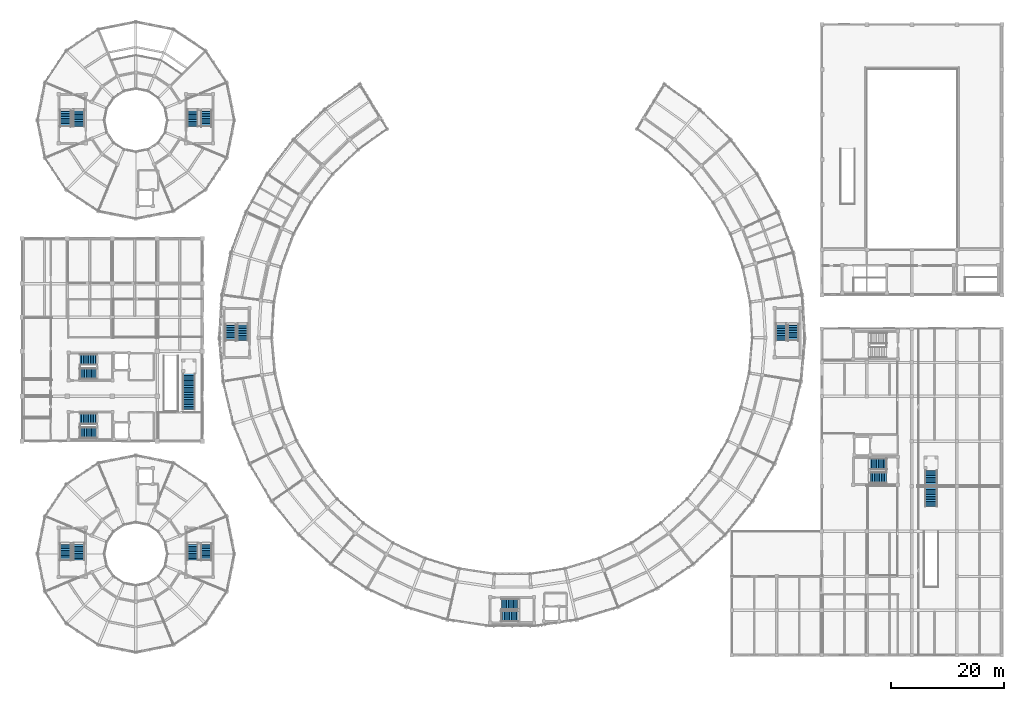
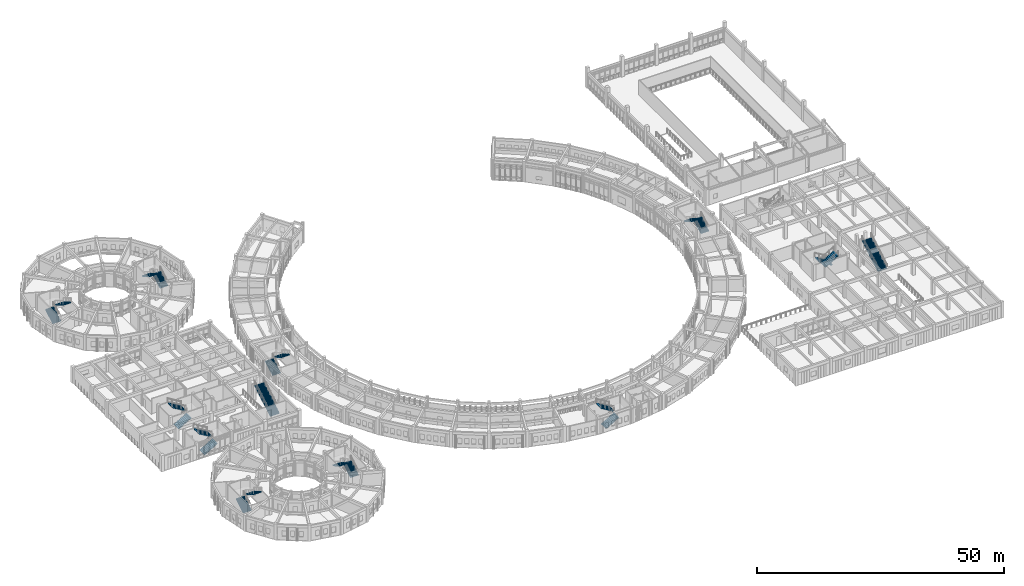
# One storey, part 138 of 159: 22 stair flights, 12 elements without a shape of their own.
"""IFC4 building model written with IfcOpenShell, lengths in metres."""

from ifc_helpers import new_model, si_unit, direction, frame, origin, place, context, subcontext, project, spatial, polyline, outline, extrude, material, type_object, element, aggregate, save


model = new_model("IFC4")

# Units and contexts
model_context = context("Model", 3, precision=1e-05, world=origin(), true_north=direction((0.0, 1.0)))
body_context = subcontext(model_context, "Body", "Model", "MODEL_VIEW")
ifc_project = project(units=[si_unit("LENGTHUNIT", "METRE"), si_unit("AREAUNIT", "SQUARE_METRE"), si_unit("VOLUMEUNIT", "CUBIC_METRE"), si_unit("PLANEANGLEUNIT", "RADIAN"), si_unit("MASSUNIT", "GRAM", prefix="KILO")], contexts=[model_context])

# Site, building, storey
site_placement = place(None, origin())
site = spatial("IfcSite", under=ifc_project, at=site_placement, CompositionType="ELEMENT")
building_placement = place(site_placement, origin())
building = spatial("IfcBuilding", under=site, at=building_placement, Name="Celadon Cloister-Ring School", CompositionType="ELEMENT")
storey_placement = place(building_placement, frame((0.0, 0.0, 4.5)))
storey = spatial("IfcBuildingStorey", under=building, at=storey_placement, Name="L01", CompositionType="ELEMENT", Elevation=4.5)

# Stair, stair flights
ifc_material_1 = material(Name="Concrete C35/45", Category="concrete")
stair_type_1 = type_object("IfcStairType", Name="ST-02", PredefinedType="HALF_TURN_STAIR", material=ifc_material_1)
stair_1_placement = place(storey_placement, origin())
stair_1 = element("IfcStair", 1, at=stair_1_placement, inside=storey, type_object=stair_type_1, Name="Exit Stair ST-V5A L01", PredefinedType="HALF_TURN_STAIR")
ifc_material_2 = material(Name="Concrete C35/45", Category="concrete")
stair_flight_type_1 = type_object("IfcStairFlightType", Name="SFL-01", PredefinedType="STRAIGHT", material=ifc_material_2)
stair_flight_1_placement = place(storey_placement, frame((10.18994140625, 41.52001953125, 0.0), z_axis=(0.0, 0.0, 1.0), x_axis=(1.0, 0.0, 0.0)))
stair_flight_1 = element("IfcStairFlight", 2, at=stair_flight_1_placement, type_object=stair_flight_type_1, Name="ST-02 flight 1", NumberOfRisers=11, NumberOfTreads=10, PredefinedType="STRAIGHT", RiserHeight=0.181818182, TreadLength=0.305, context=body_context, shape_type="SweptSolid", body=[
    extrude(outline(polyline([(0.0, 0.0), (0.0, 0.181884765625), (0.304931640625, 0.181884765625), (0.304931640625, 0.363525390625), (0.610107421875, 0.363525390625), (0.610107421875, 0.54541015625), (0.9150390625, 0.54541015625), (0.9150390625, 0.727294921875), (1.219970703125, 0.727294921875), (1.219970703125, 0.9091796875), (1.52490234375, 0.9091796875), (1.52490234375, 1.0908203125), (1.830078125, 1.0908203125), (1.830078125, 1.272705078125), (2.135009765625, 1.272705078125), (2.135009765625, 1.45458984375), (2.43994140625, 1.45458984375), (2.43994140625, 1.636474609375), (2.7451171875, 1.636474609375), (2.7451171875, 1.818115234375), (3.050048828125, 1.818115234375), (3.050048828125, 2.0), (3.050048828125, 1.632080078125), (0.312255859375, 0.0), (0.0, 0.0)])), frame((0.0, 0.97998046875, 0.0), z_axis=(0.0, -1.0, 0.0), x_axis=(1.0, 0.0, 0.0)), (0.0, 0.0, 1.0), 1.9599609375),
])
stair_flight_2_placement = place(storey_placement, frame((13.320068359375, 43.97998046875, 2.0), z_axis=(0.0, 0.0, 1.0), x_axis=(-1.0, 0.0, 0.0)))
stair_flight_2 = element("IfcStairFlight", 3, at=stair_flight_2_placement, type_object=stair_flight_type_1, Name="ST-02 flight 2", NumberOfRisers=11, NumberOfTreads=10, PredefinedType="STRAIGHT", RiserHeight=0.181818182, TreadLength=0.305, context=body_context, shape_type="SweptSolid", body=[
    extrude(outline(polyline([(0.0, 0.0), (0.0, 0.181884765625), (0.304931640625, 0.181884765625), (0.304931640625, 0.363525390625), (0.610107421875, 0.363525390625), (0.610107421875, 0.54541015625), (0.9150390625, 0.54541015625), (0.9150390625, 0.727294921875), (1.219970703125, 0.727294921875), (1.219970703125, 0.9091796875), (1.52490234375, 0.9091796875), (1.52490234375, 1.0908203125), (1.830078125, 1.0908203125), (1.830078125, 1.272705078125), (2.135009765625, 1.272705078125), (2.135009765625, 1.45458984375), (2.43994140625, 1.45458984375), (2.43994140625, 1.636474609375), (2.7451171875, 1.636474609375), (2.7451171875, 1.818115234375), (3.050048828125, 1.818115234375), (3.050048828125, 2.0), (3.050048828125, 1.632080078125), (0.312255859375, 0.0), (0.0, 0.0)])), frame((0.0, 0.97998046875, 0.0), z_axis=(0.0, -1.0, 0.0), x_axis=(1.0, 0.0, 0.0)), (0.0, 0.0, 1.0), 1.9599609375),
])
aggregate(stair_1, [stair_flight_1, stair_flight_2])

stair_2_placement = place(storey_placement, origin())
stair_2 = element("IfcStair", 4, at=stair_2_placement, inside=storey, type_object=stair_type_1, Name="Exit Stair ST-V5L1 L01", PredefinedType="HALF_TURN_STAIR")
stair_flight_3_placement = place(storey_placement, frame((7.719970703125, 18.800048828125, 0.0), z_axis=(0.0, 0.0, 1.0), x_axis=(0.0, 1.0, 0.0)))
stair_flight_3 = element("IfcStairFlight", 5, at=stair_flight_3_placement, type_object=stair_flight_type_1, Name="ST-02 flight 1", NumberOfRisers=11, NumberOfTreads=10, PredefinedType="STRAIGHT", RiserHeight=0.181818182, TreadLength=0.305, context=body_context, shape_type="SweptSolid", body=[
    extrude(outline(polyline([(0.0, 0.0), (0.0, 0.181884765625), (0.304931640625, 0.181884765625), (0.304931640625, 0.363525390625), (0.610107421875, 0.363525390625), (0.610107421875, 0.54541015625), (0.9150390625, 0.54541015625), (0.9150390625, 0.727294921875), (1.219970703125, 0.727294921875), (1.219970703125, 0.9091796875), (1.52490234375, 0.9091796875), (1.52490234375, 1.0908203125), (1.830078125, 1.0908203125), (1.830078125, 1.272705078125), (2.135009765625, 1.272705078125), (2.135009765625, 1.45458984375), (2.43994140625, 1.45458984375), (2.43994140625, 1.636474609375), (2.7451171875, 1.636474609375), (2.7451171875, 1.818115234375), (3.050048828125, 1.818115234375), (3.050048828125, 2.0), (3.050048828125, 1.632080078125), (0.312255859375, 0.0), (0.0, 0.0)])), frame((0.0, 0.97998046875, 0.0), z_axis=(0.0, -1.0, 0.0), x_axis=(1.0, 0.0, 0.0)), (0.0, 0.0, 1.0), 1.9599609375),
])
stair_flight_4_placement = place(storey_placement, frame((10.080078125, 21.929931640625, 2.0), z_axis=(0.0, 0.0, 1.0), x_axis=(0.0, -1.0, 0.0)))
stair_flight_4 = element("IfcStairFlight", 6, at=stair_flight_4_placement, type_object=stair_flight_type_1, Name="ST-02 flight 2", NumberOfRisers=11, NumberOfTreads=10, PredefinedType="STRAIGHT", RiserHeight=0.181818182, TreadLength=0.305, context=body_context, shape_type="SweptSolid", body=[
    extrude(outline(polyline([(0.0, 0.0), (0.0, 0.181884765625), (0.304931640625, 0.181884765625), (0.304931640625, 0.363525390625), (0.610107421875, 0.363525390625), (0.610107421875, 0.54541015625), (0.9150390625, 0.54541015625), (0.9150390625, 0.727294921875), (1.219970703125, 0.727294921875), (1.219970703125, 0.9091796875), (1.52490234375, 0.9091796875), (1.52490234375, 1.0908203125), (1.830078125, 1.0908203125), (1.830078125, 1.272705078125), (2.135009765625, 1.272705078125), (2.135009765625, 1.45458984375), (2.43994140625, 1.45458984375), (2.43994140625, 1.636474609375), (2.7451171875, 1.636474609375), (2.7451171875, 1.818115234375), (3.050048828125, 1.818115234375), (3.050048828125, 2.0), (3.050048828125, 1.632080078125), (0.312255859375, 0.0), (0.0, 0.0)])), frame((0.0, 0.97998046875, 0.0), z_axis=(0.0, -1.0, 0.0), x_axis=(1.0, 0.0, 0.0)), (0.0, 0.0, 1.0), 1.9599609375),
])
aggregate(stair_2, [stair_flight_3, stair_flight_4])

stair_3_placement = place(storey_placement, origin())
stair_3 = element("IfcStair", 7, at=stair_3_placement, inside=storey, type_object=stair_type_1, Name="Exit Stair ST-V3A L01", PredefinedType="HALF_TURN_STAIR")
stair_flight_5_placement = place(storey_placement, frame((7.719970703125, 95.800048828125, 0.0), z_axis=(0.0, 0.0, 1.0), x_axis=(0.0, 1.0, 0.0)))
stair_flight_5 = element("IfcStairFlight", 8, at=stair_flight_5_placement, type_object=stair_flight_type_1, Name="ST-02 flight 1", NumberOfRisers=11, NumberOfTreads=10, PredefinedType="STRAIGHT", RiserHeight=0.181818182, TreadLength=0.305, context=body_context, shape_type="SweptSolid", body=[
    extrude(outline(polyline([(0.0, 0.0), (0.0, 0.181884765625), (0.304931640625, 0.181884765625), (0.304931640625, 0.363525390625), (0.610107421875, 0.363525390625), (0.610107421875, 0.54541015625), (0.9150390625, 0.54541015625), (0.9150390625, 0.727294921875), (1.219970703125, 0.727294921875), (1.219970703125, 0.9091796875), (1.52490234375, 0.9091796875), (1.52490234375, 1.0908203125), (1.830078125, 1.0908203125), (1.830078125, 1.272705078125), (2.135009765625, 1.272705078125), (2.135009765625, 1.45458984375), (2.43994140625, 1.45458984375), (2.43994140625, 1.636474609375), (2.7451171875, 1.636474609375), (2.7451171875, 1.818115234375), (3.050048828125, 1.818115234375), (3.050048828125, 2.0), (3.050048828125, 1.632080078125), (0.312255859375, 0.0), (0.0, 0.0)])), frame((0.0, 0.97998046875, 0.0), z_axis=(0.0, -1.0, 0.0), x_axis=(1.0, 0.0, 0.0)), (0.0, 0.0, 1.0), 1.9599609375),
])
stair_flight_6_placement = place(storey_placement, frame((10.080078125, 98.929931640625, 2.0), z_axis=(0.0, 0.0, 1.0), x_axis=(0.0, -1.0, 0.0)))
stair_flight_6 = element("IfcStairFlight", 9, at=stair_flight_6_placement, type_object=stair_flight_type_1, Name="ST-02 flight 2", NumberOfRisers=11, NumberOfTreads=10, PredefinedType="STRAIGHT", RiserHeight=0.181818182, TreadLength=0.305, context=body_context, shape_type="SweptSolid", body=[
    extrude(outline(polyline([(0.0, 0.0), (0.0, 0.181884765625), (0.304931640625, 0.181884765625), (0.304931640625, 0.363525390625), (0.610107421875, 0.363525390625), (0.610107421875, 0.54541015625), (0.9150390625, 0.54541015625), (0.9150390625, 0.727294921875), (1.219970703125, 0.727294921875), (1.219970703125, 0.9091796875), (1.52490234375, 0.9091796875), (1.52490234375, 1.0908203125), (1.830078125, 1.0908203125), (1.830078125, 1.272705078125), (2.135009765625, 1.272705078125), (2.135009765625, 1.45458984375), (2.43994140625, 1.45458984375), (2.43994140625, 1.636474609375), (2.7451171875, 1.636474609375), (2.7451171875, 1.818115234375), (3.050048828125, 1.818115234375), (3.050048828125, 2.0), (3.050048828125, 1.632080078125), (0.312255859375, 0.0), (0.0, 0.0)])), frame((0.0, 0.97998046875, 0.0), z_axis=(0.0, -1.0, 0.0), x_axis=(1.0, 0.0, 0.0)), (0.0, 0.0, 1.0), 1.9599609375),
])
aggregate(stair_3, [stair_flight_5, stair_flight_6])

stair_4_placement = place(storey_placement, origin())
stair_4 = element("IfcStair", 10, at=stair_4_placement, inside=storey, type_object=stair_type_1, Name="Exit Stair ST-V4A L01", PredefinedType="HALF_TURN_STAIR")
stair_flight_7_placement = place(storey_placement, frame((153.56005859375, 35.97998046875, 0.0), z_axis=(0.0, 0.0, 1.0), x_axis=(-1.0, 0.0, 0.0)))
stair_flight_7 = element("IfcStairFlight", 11, at=stair_flight_7_placement, type_object=stair_flight_type_1, Name="ST-02 flight 1", NumberOfRisers=11, NumberOfTreads=10, PredefinedType="STRAIGHT", RiserHeight=0.181818182, TreadLength=0.305, context=body_context, shape_type="SweptSolid", body=[
    extrude(outline(polyline([(0.0, 0.0), (0.0, 0.181884765625), (0.304931640625, 0.181884765625), (0.304931640625, 0.363525390625), (0.610107421875, 0.363525390625), (0.610107421875, 0.54541015625), (0.9150390625, 0.54541015625), (0.9150390625, 0.727294921875), (1.219970703125, 0.727294921875), (1.219970703125, 0.9091796875), (1.52490234375, 0.9091796875), (1.52490234375, 1.0908203125), (1.830078125, 1.0908203125), (1.830078125, 1.272705078125), (2.135009765625, 1.272705078125), (2.135009765625, 1.45458984375), (2.43994140625, 1.45458984375), (2.43994140625, 1.636474609375), (2.7451171875, 1.636474609375), (2.7451171875, 1.818115234375), (3.050048828125, 1.818115234375), (3.050048828125, 2.0), (3.050048828125, 1.632080078125), (0.312255859375, 0.0), (0.0, 0.0)])), frame((0.0, 0.97998046875, 0.0), z_axis=(0.0, -1.0, 0.0), x_axis=(1.0, 0.0, 0.0)), (0.0, 0.0, 1.0), 1.9599609375),
])
stair_flight_8_placement = place(storey_placement, frame((150.429931640625, 33.52001953125, 2.0), z_axis=(0.0, 0.0, 1.0), x_axis=(1.0, 0.0, 0.0)))
stair_flight_8 = element("IfcStairFlight", 12, at=stair_flight_8_placement, type_object=stair_flight_type_1, Name="ST-02 flight 2", NumberOfRisers=11, NumberOfTreads=10, PredefinedType="STRAIGHT", RiserHeight=0.181818182, TreadLength=0.305, context=body_context, shape_type="SweptSolid", body=[
    extrude(outline(polyline([(0.0, 0.0), (0.0, 0.181884765625), (0.304931640625, 0.181884765625), (0.304931640625, 0.363525390625), (0.610107421875, 0.363525390625), (0.610107421875, 0.54541015625), (0.9150390625, 0.54541015625), (0.9150390625, 0.727294921875), (1.219970703125, 0.727294921875), (1.219970703125, 0.9091796875), (1.52490234375, 0.9091796875), (1.52490234375, 1.0908203125), (1.830078125, 1.0908203125), (1.830078125, 1.272705078125), (2.135009765625, 1.272705078125), (2.135009765625, 1.45458984375), (2.43994140625, 1.45458984375), (2.43994140625, 1.636474609375), (2.7451171875, 1.636474609375), (2.7451171875, 1.818115234375), (3.050048828125, 1.818115234375), (3.050048828125, 2.0), (3.050048828125, 1.632080078125), (0.312255859375, 0.0), (0.0, 0.0)])), frame((0.0, 0.97998046875, 0.0), z_axis=(0.0, -1.0, 0.0), x_axis=(1.0, 0.0, 0.0)), (0.0, 0.0, 1.0), 1.9599609375),
])
aggregate(stair_4, [stair_flight_7, stair_flight_8])

ifc_material_3 = material(Name="Concrete C35/45", Category="concrete")
stair_type_2 = type_object("IfcStairType", Name="ST-04", PredefinedType="HALF_TURN_STAIR", material=ifc_material_3)
stair_5_placement = place(storey_placement, origin())
stair_5 = element("IfcStair", 13, at=stair_5_placement, inside=storey, type_object=stair_type_2, Name="Exit Stair ST-V5B L01", PredefinedType="HALF_TURN_STAIR")
ifc_material_4 = material(Name="Concrete C35/45", Category="concrete")
stair_flight_type_2 = type_object("IfcStairFlightType", Name="SFL-02", PredefinedType="STRAIGHT", material=ifc_material_4)
stair_flight_9_placement = place(storey_placement, frame((10.18994140625, 51.989990234375, 0.0), z_axis=(0.0, 0.0, 1.0), x_axis=(1.0, 0.0, 0.0)))
stair_flight_9 = element("IfcStairFlight", 14, at=stair_flight_9_placement, type_object=stair_flight_type_2, Name="ST-04 flight 1", NumberOfRisers=11, NumberOfTreads=10, PredefinedType="STRAIGHT", RiserHeight=0.181818182, TreadLength=0.305, context=body_context, shape_type="SweptSolid", body=[
    extrude(outline(polyline([(0.0, 0.0), (0.0, 0.181884765625), (0.304931640625, 0.181884765625), (0.304931640625, 0.363525390625), (0.610107421875, 0.363525390625), (0.610107421875, 0.54541015625), (0.9150390625, 0.54541015625), (0.9150390625, 0.727294921875), (1.219970703125, 0.727294921875), (1.219970703125, 0.9091796875), (1.52490234375, 0.9091796875), (1.52490234375, 1.0908203125), (1.830078125, 1.0908203125), (1.830078125, 1.272705078125), (2.135009765625, 1.272705078125), (2.135009765625, 1.45458984375), (2.43994140625, 1.45458984375), (2.43994140625, 1.636474609375), (2.7451171875, 1.636474609375), (2.7451171875, 1.818115234375), (3.050048828125, 1.818115234375), (3.050048828125, 2.0), (3.050048828125, 1.632080078125), (0.312255859375, 0.0), (0.0, 0.0)])), frame((0.0, 0.949951171875, 0.0), z_axis=(0.0, -1.0, 0.0), x_axis=(1.0, 0.0, 0.0)), (0.0, 0.0, 1.0), 1.89990234375),
])
stair_flight_10_placement = place(storey_placement, frame((13.320068359375, 54.510009765625, 2.0), z_axis=(0.0, 0.0, 1.0), x_axis=(-1.0, 0.0, 0.0)))
stair_flight_10 = element("IfcStairFlight", 15, at=stair_flight_10_placement, type_object=stair_flight_type_2, Name="ST-04 flight 2", NumberOfRisers=11, NumberOfTreads=10, PredefinedType="STRAIGHT", RiserHeight=0.181818182, TreadLength=0.305, context=body_context, shape_type="SweptSolid", body=[
    extrude(outline(polyline([(0.0, 0.0), (0.0, 0.181884765625), (0.304931640625, 0.181884765625), (0.304931640625, 0.363525390625), (0.610107421875, 0.363525390625), (0.610107421875, 0.54541015625), (0.9150390625, 0.54541015625), (0.9150390625, 0.727294921875), (1.219970703125, 0.727294921875), (1.219970703125, 0.9091796875), (1.52490234375, 0.9091796875), (1.52490234375, 1.0908203125), (1.830078125, 1.0908203125), (1.830078125, 1.272705078125), (2.135009765625, 1.272705078125), (2.135009765625, 1.45458984375), (2.43994140625, 1.45458984375), (2.43994140625, 1.636474609375), (2.7451171875, 1.636474609375), (2.7451171875, 1.818115234375), (3.050048828125, 1.818115234375), (3.050048828125, 2.0), (3.050048828125, 1.632080078125), (0.312255859375, 0.0), (0.0, 0.0)])), frame((0.0, 0.949951171875, 0.0), z_axis=(0.0, -1.0, 0.0), x_axis=(1.0, 0.0, 0.0)), (0.0, 0.0, 1.0), 1.89990234375),
])
aggregate(stair_5, [stair_flight_9, stair_flight_10])

stair_6_placement = place(storey_placement, origin())
stair_6 = element("IfcStair", 16, at=stair_6_placement, inside=storey, type_object=stair_type_2, Name="Exit Stair ST-V5L2 L01", PredefinedType="HALF_TURN_STAIR")
stair_flight_11_placement = place(storey_placement, frame((32.7099609375, 18.800048828125, 0.0), z_axis=(0.0, 0.0, 1.0), x_axis=(0.0, 1.0, 0.0)))
stair_flight_11 = element("IfcStairFlight", 17, at=stair_flight_11_placement, type_object=stair_flight_type_2, Name="ST-04 flight 1", NumberOfRisers=11, NumberOfTreads=10, PredefinedType="STRAIGHT", RiserHeight=0.181818182, TreadLength=0.305, context=body_context, shape_type="SweptSolid", body=[
    extrude(outline(polyline([(0.0, 0.0), (0.0, 0.181884765625), (0.304931640625, 0.181884765625), (0.304931640625, 0.363525390625), (0.610107421875, 0.363525390625), (0.610107421875, 0.54541015625), (0.9150390625, 0.54541015625), (0.9150390625, 0.727294921875), (1.219970703125, 0.727294921875), (1.219970703125, 0.9091796875), (1.52490234375, 0.9091796875), (1.52490234375, 1.0908203125), (1.830078125, 1.0908203125), (1.830078125, 1.272705078125), (2.135009765625, 1.272705078125), (2.135009765625, 1.45458984375), (2.43994140625, 1.45458984375), (2.43994140625, 1.636474609375), (2.7451171875, 1.636474609375), (2.7451171875, 1.818115234375), (3.050048828125, 1.818115234375), (3.050048828125, 2.0), (3.050048828125, 1.632080078125), (0.312255859375, 0.0), (0.0, 0.0)])), frame((0.0, 0.949951171875, 0.0), z_axis=(0.0, -1.0, 0.0), x_axis=(1.0, 0.0, 0.0)), (0.0, 0.0, 1.0), 1.89990234375),
])
stair_flight_12_placement = place(storey_placement, frame((30.2900390625, 21.929931640625, 2.0), z_axis=(0.0, 0.0, 1.0), x_axis=(0.0, -1.0, 0.0)))
stair_flight_12 = element("IfcStairFlight", 18, at=stair_flight_12_placement, type_object=stair_flight_type_2, Name="ST-04 flight 2", NumberOfRisers=11, NumberOfTreads=10, PredefinedType="STRAIGHT", RiserHeight=0.181818182, TreadLength=0.305, context=body_context, shape_type="SweptSolid", body=[
    extrude(outline(polyline([(0.0, 0.0), (0.0, 0.181884765625), (0.304931640625, 0.181884765625), (0.304931640625, 0.363525390625), (0.610107421875, 0.363525390625), (0.610107421875, 0.54541015625), (0.9150390625, 0.54541015625), (0.9150390625, 0.727294921875), (1.219970703125, 0.727294921875), (1.219970703125, 0.9091796875), (1.52490234375, 0.9091796875), (1.52490234375, 1.0908203125), (1.830078125, 1.0908203125), (1.830078125, 1.272705078125), (2.135009765625, 1.272705078125), (2.135009765625, 1.45458984375), (2.43994140625, 1.45458984375), (2.43994140625, 1.636474609375), (2.7451171875, 1.636474609375), (2.7451171875, 1.818115234375), (3.050048828125, 1.818115234375), (3.050048828125, 2.0), (3.050048828125, 1.632080078125), (0.312255859375, 0.0), (0.0, 0.0)])), frame((0.0, 0.949951171875, 0.0), z_axis=(0.0, -1.0, 0.0), x_axis=(1.0, 0.0, 0.0)), (0.0, 0.0, 1.0), 1.89990234375),
])
aggregate(stair_6, [stair_flight_11, stair_flight_12])

stair_7_placement = place(storey_placement, origin())
stair_7 = element("IfcStair", 19, at=stair_7_placement, inside=storey, type_object=stair_type_2, Name="Exit Stair ST-V3B L01", PredefinedType="HALF_TURN_STAIR")
stair_flight_13_placement = place(storey_placement, frame((32.7099609375, 95.800048828125, 0.0), z_axis=(0.0, 0.0, 1.0), x_axis=(0.0, 1.0, 0.0)))
stair_flight_13 = element("IfcStairFlight", 20, at=stair_flight_13_placement, type_object=stair_flight_type_2, Name="ST-04 flight 1", NumberOfRisers=11, NumberOfTreads=10, PredefinedType="STRAIGHT", RiserHeight=0.181818182, TreadLength=0.305, context=body_context, shape_type="SweptSolid", body=[
    extrude(outline(polyline([(0.0, 0.0), (0.0, 0.181884765625), (0.304931640625, 0.181884765625), (0.304931640625, 0.363525390625), (0.610107421875, 0.363525390625), (0.610107421875, 0.54541015625), (0.9150390625, 0.54541015625), (0.9150390625, 0.727294921875), (1.219970703125, 0.727294921875), (1.219970703125, 0.9091796875), (1.52490234375, 0.9091796875), (1.52490234375, 1.0908203125), (1.830078125, 1.0908203125), (1.830078125, 1.272705078125), (2.135009765625, 1.272705078125), (2.135009765625, 1.45458984375), (2.43994140625, 1.45458984375), (2.43994140625, 1.636474609375), (2.7451171875, 1.636474609375), (2.7451171875, 1.818115234375), (3.050048828125, 1.818115234375), (3.050048828125, 2.0), (3.050048828125, 1.632080078125), (0.312255859375, 0.0), (0.0, 0.0)])), frame((0.0, 0.949951171875, 0.0), z_axis=(0.0, -1.0, 0.0), x_axis=(1.0, 0.0, 0.0)), (0.0, 0.0, 1.0), 1.89990234375),
])
stair_flight_14_placement = place(storey_placement, frame((30.2900390625, 98.929931640625, 2.0), z_axis=(0.0, 0.0, 1.0), x_axis=(0.0, -1.0, 0.0)))
stair_flight_14 = element("IfcStairFlight", 21, at=stair_flight_14_placement, type_object=stair_flight_type_2, Name="ST-04 flight 2", NumberOfRisers=11, NumberOfTreads=10, PredefinedType="STRAIGHT", RiserHeight=0.181818182, TreadLength=0.305, context=body_context, shape_type="SweptSolid", body=[
    extrude(outline(polyline([(0.0, 0.0), (0.0, 0.181884765625), (0.304931640625, 0.181884765625), (0.304931640625, 0.363525390625), (0.610107421875, 0.363525390625), (0.610107421875, 0.54541015625), (0.9150390625, 0.54541015625), (0.9150390625, 0.727294921875), (1.219970703125, 0.727294921875), (1.219970703125, 0.9091796875), (1.52490234375, 0.9091796875), (1.52490234375, 1.0908203125), (1.830078125, 1.0908203125), (1.830078125, 1.272705078125), (2.135009765625, 1.272705078125), (2.135009765625, 1.45458984375), (2.43994140625, 1.45458984375), (2.43994140625, 1.636474609375), (2.7451171875, 1.636474609375), (2.7451171875, 1.818115234375), (3.050048828125, 1.818115234375), (3.050048828125, 2.0), (3.050048828125, 1.632080078125), (0.312255859375, 0.0), (0.0, 0.0)])), frame((0.0, 0.949951171875, 0.0), z_axis=(0.0, -1.0, 0.0), x_axis=(1.0, 0.0, 0.0)), (0.0, 0.0, 1.0), 1.89990234375),
])
aggregate(stair_7, [stair_flight_13, stair_flight_14])

stair_8_placement = place(storey_placement, origin())
stair_8 = element("IfcStair", 22, at=stair_8_placement, inside=storey, type_object=stair_type_2, Name="Exit Stair ST-V1S L01", PredefinedType="HALF_TURN_STAIR")
stair_flight_15_placement = place(storey_placement, frame((85.0400390625, 8.93994140625, 0.0), z_axis=(0.0, 0.0, 1.0), x_axis=(1.0, 0.0, 0.0)))
stair_flight_15 = element("IfcStairFlight", 23, at=stair_flight_15_placement, type_object=stair_flight_type_2, Name="ST-04 flight 1", NumberOfRisers=11, NumberOfTreads=10, PredefinedType="STRAIGHT", RiserHeight=0.181818182, TreadLength=0.305, context=body_context, shape_type="SweptSolid", body=[
    extrude(outline(polyline([(0.0, 0.0), (0.0, 0.181884765625), (0.304931640625, 0.181884765625), (0.304931640625, 0.363525390625), (0.610107421875, 0.363525390625), (0.610107421875, 0.54541015625), (0.9150390625, 0.54541015625), (0.9150390625, 0.727294921875), (1.219970703125, 0.727294921875), (1.219970703125, 0.9091796875), (1.52490234375, 0.9091796875), (1.52490234375, 1.0908203125), (1.830078125, 1.0908203125), (1.830078125, 1.272705078125), (2.135009765625, 1.272705078125), (2.135009765625, 1.45458984375), (2.43994140625, 1.45458984375), (2.43994140625, 1.636474609375), (2.7451171875, 1.636474609375), (2.7451171875, 1.818115234375), (3.050048828125, 1.818115234375), (3.050048828125, 2.0), (3.050048828125, 1.632080078125), (0.312255859375, 0.0), (0.0, 0.0)])), frame((0.0, 0.949951171875, 0.0), z_axis=(0.0, -1.0, 0.0), x_axis=(1.0, 0.0, 0.0)), (0.0, 0.0, 1.0), 1.89990234375),
])
stair_flight_16_placement = place(storey_placement, frame((88.169921875, 11.080078125, 2.0), z_axis=(0.0, 0.0, 1.0), x_axis=(-1.0, 0.0, 0.0)))
stair_flight_16 = element("IfcStairFlight", 24, at=stair_flight_16_placement, type_object=stair_flight_type_2, Name="ST-04 flight 2", NumberOfRisers=11, NumberOfTreads=10, PredefinedType="STRAIGHT", RiserHeight=0.181818182, TreadLength=0.305, context=body_context, shape_type="SweptSolid", body=[
    extrude(outline(polyline([(0.0, 0.0), (0.0, 0.181884765625), (0.304931640625, 0.181884765625), (0.304931640625, 0.363525390625), (0.610107421875, 0.363525390625), (0.610107421875, 0.54541015625), (0.9150390625, 0.54541015625), (0.9150390625, 0.727294921875), (1.219970703125, 0.727294921875), (1.219970703125, 0.9091796875), (1.52490234375, 0.9091796875), (1.52490234375, 1.0908203125), (1.830078125, 1.0908203125), (1.830078125, 1.272705078125), (2.135009765625, 1.272705078125), (2.135009765625, 1.45458984375), (2.43994140625, 1.45458984375), (2.43994140625, 1.636474609375), (2.7451171875, 1.636474609375), (2.7451171875, 1.818115234375), (3.050048828125, 1.818115234375), (3.050048828125, 2.0), (3.050048828125, 1.632080078125), (0.312255859375, 0.0), (0.0, 0.0)])), frame((0.0, 0.949951171875, 0.0), z_axis=(0.0, -1.0, 0.0), x_axis=(1.0, 0.0, 0.0)), (0.0, 0.0, 1.0), 1.89990234375),
])
aggregate(stair_8, [stair_flight_15, stair_flight_16])

stair_9_placement = place(storey_placement, origin())
stair_9 = element("IfcStair", 25, at=stair_9_placement, inside=storey, type_object=stair_type_2, Name="Exit Stair ST-V1W L01", PredefinedType="HALF_TURN_STAIR")
stair_flight_17_placement = place(storey_placement, frame((37.0400390625, 57.800048828125, 0.0), z_axis=(0.0, 0.0, 1.0), x_axis=(0.0, 1.0, 0.0)))
stair_flight_17 = element("IfcStairFlight", 26, at=stair_flight_17_placement, type_object=stair_flight_type_2, Name="ST-04 flight 1", NumberOfRisers=11, NumberOfTreads=10, PredefinedType="STRAIGHT", RiserHeight=0.181818182, TreadLength=0.305, context=body_context, shape_type="SweptSolid", body=[
    extrude(outline(polyline([(0.0, 0.0), (0.0, 0.181884765625), (0.304931640625, 0.181884765625), (0.304931640625, 0.363525390625), (0.610107421875, 0.363525390625), (0.610107421875, 0.54541015625), (0.9150390625, 0.54541015625), (0.9150390625, 0.727294921875), (1.219970703125, 0.727294921875), (1.219970703125, 0.9091796875), (1.52490234375, 0.9091796875), (1.52490234375, 1.0908203125), (1.830078125, 1.0908203125), (1.830078125, 1.272705078125), (2.135009765625, 1.272705078125), (2.135009765625, 1.45458984375), (2.43994140625, 1.45458984375), (2.43994140625, 1.636474609375), (2.7451171875, 1.636474609375), (2.7451171875, 1.818115234375), (3.050048828125, 1.818115234375), (3.050048828125, 2.0), (3.050048828125, 1.632080078125), (0.312255859375, 0.0), (0.0, 0.0)])), frame((0.0, 0.949951171875, 0.0), z_axis=(0.0, -1.0, 0.0), x_axis=(1.0, 0.0, 0.0)), (0.0, 0.0, 1.0), 1.89990234375),
])
stair_flight_18_placement = place(storey_placement, frame((39.179931640625, 60.929931640625, 2.0), z_axis=(0.0, 0.0, 1.0), x_axis=(0.0, -1.0, 0.0)))
stair_flight_18 = element("IfcStairFlight", 27, at=stair_flight_18_placement, type_object=stair_flight_type_2, Name="ST-04 flight 2", NumberOfRisers=11, NumberOfTreads=10, PredefinedType="STRAIGHT", RiserHeight=0.181818182, TreadLength=0.305, context=body_context, shape_type="SweptSolid", body=[
    extrude(outline(polyline([(0.0, 0.0), (0.0, 0.181884765625), (0.304931640625, 0.181884765625), (0.304931640625, 0.363525390625), (0.610107421875, 0.363525390625), (0.610107421875, 0.54541015625), (0.9150390625, 0.54541015625), (0.9150390625, 0.727294921875), (1.219970703125, 0.727294921875), (1.219970703125, 0.9091796875), (1.52490234375, 0.9091796875), (1.52490234375, 1.0908203125), (1.830078125, 1.0908203125), (1.830078125, 1.272705078125), (2.135009765625, 1.272705078125), (2.135009765625, 1.45458984375), (2.43994140625, 1.45458984375), (2.43994140625, 1.636474609375), (2.7451171875, 1.636474609375), (2.7451171875, 1.818115234375), (3.050048828125, 1.818115234375), (3.050048828125, 2.0), (3.050048828125, 1.632080078125), (0.312255859375, 0.0), (0.0, 0.0)])), frame((0.0, 0.949951171875, 0.0), z_axis=(0.0, -1.0, 0.0), x_axis=(1.0, 0.0, 0.0)), (0.0, 0.0, 1.0), 1.89990234375),
])
aggregate(stair_9, [stair_flight_17, stair_flight_18])

stair_10_placement = place(storey_placement, origin())
stair_10 = element("IfcStair", 28, at=stair_10_placement, inside=storey, type_object=stair_type_2, Name="Exit Stair ST-V1E L01", PredefinedType="HALF_TURN_STAIR")
stair_flight_19_placement = place(storey_placement, frame((136.9599609375, 57.800048828125, 0.0), z_axis=(0.0, 0.0, 1.0), x_axis=(0.0, 1.0, 0.0)))
stair_flight_19 = element("IfcStairFlight", 29, at=stair_flight_19_placement, type_object=stair_flight_type_2, Name="ST-04 flight 1", NumberOfRisers=11, NumberOfTreads=10, PredefinedType="STRAIGHT", RiserHeight=0.181818182, TreadLength=0.305, context=body_context, shape_type="SweptSolid", body=[
    extrude(outline(polyline([(0.0, 0.0), (0.0, 0.181884765625), (0.304931640625, 0.181884765625), (0.304931640625, 0.363525390625), (0.610107421875, 0.363525390625), (0.610107421875, 0.54541015625), (0.9150390625, 0.54541015625), (0.9150390625, 0.727294921875), (1.219970703125, 0.727294921875), (1.219970703125, 0.9091796875), (1.52490234375, 0.9091796875), (1.52490234375, 1.0908203125), (1.830078125, 1.0908203125), (1.830078125, 1.272705078125), (2.135009765625, 1.272705078125), (2.135009765625, 1.45458984375), (2.43994140625, 1.45458984375), (2.43994140625, 1.636474609375), (2.7451171875, 1.636474609375), (2.7451171875, 1.818115234375), (3.050048828125, 1.818115234375), (3.050048828125, 2.0), (3.050048828125, 1.632080078125), (0.312255859375, 0.0), (0.0, 0.0)])), frame((0.0, 0.949951171875, 0.0), z_axis=(0.0, -1.0, 0.0), x_axis=(1.0, 0.0, 0.0)), (0.0, 0.0, 1.0), 1.89990234375),
])
stair_flight_20_placement = place(storey_placement, frame((134.820068359375, 60.929931640625, 2.0), z_axis=(0.0, 0.0, 1.0), x_axis=(0.0, -1.0, 0.0)))
stair_flight_20 = element("IfcStairFlight", 30, at=stair_flight_20_placement, type_object=stair_flight_type_2, Name="ST-04 flight 2", NumberOfRisers=11, NumberOfTreads=10, PredefinedType="STRAIGHT", RiserHeight=0.181818182, TreadLength=0.305, context=body_context, shape_type="SweptSolid", body=[
    extrude(outline(polyline([(0.0, 0.0), (0.0, 0.181884765625), (0.304931640625, 0.181884765625), (0.304931640625, 0.363525390625), (0.610107421875, 0.363525390625), (0.610107421875, 0.54541015625), (0.9150390625, 0.54541015625), (0.9150390625, 0.727294921875), (1.219970703125, 0.727294921875), (1.219970703125, 0.9091796875), (1.52490234375, 0.9091796875), (1.52490234375, 1.0908203125), (1.830078125, 1.0908203125), (1.830078125, 1.272705078125), (2.135009765625, 1.272705078125), (2.135009765625, 1.45458984375), (2.43994140625, 1.45458984375), (2.43994140625, 1.636474609375), (2.7451171875, 1.636474609375), (2.7451171875, 1.818115234375), (3.050048828125, 1.818115234375), (3.050048828125, 2.0), (3.050048828125, 1.632080078125), (0.312255859375, 0.0), (0.0, 0.0)])), frame((0.0, 0.949951171875, 0.0), z_axis=(0.0, -1.0, 0.0), x_axis=(1.0, 0.0, 0.0)), (0.0, 0.0, 1.0), 1.89990234375),
])
aggregate(stair_10, [stair_flight_19, stair_flight_20])

# Stair, stair flight
ifc_material_5 = material(Name="Concrete C35/45", Category="concrete")
stair_type_3 = type_object("IfcStairType", Name="ST-06", PredefinedType="STRAIGHT_RUN_STAIR", material=ifc_material_5)
stair_11_placement = place(storey_placement, origin())
stair_11 = element("IfcStair", 31, at=stair_11_placement, inside=storey, type_object=stair_type_3, Name="Science Upper Gallery Stair", PredefinedType="STRAIGHT_RUN_STAIR")
ifc_material_6 = material(Name="Concrete C35/45", Category="concrete")
stair_flight_type_3 = type_object("IfcStairFlightType", Name="SFL-03", PredefinedType="STRAIGHT", material=ifc_material_6)
stair_flight_21_placement = place(storey_placement, frame((29.60009765625, 45.60009765625, 0.0), z_axis=(0.0, 0.0, 1.0), x_axis=(0.0, 1.0, 0.0)))
stair_flight_21 = element("IfcStairFlight", 32, at=stair_flight_21_placement, type_object=stair_flight_type_3, Name="ST-06 flight 1", NumberOfRisers=22, NumberOfTreads=21, PredefinedType="STRAIGHT", RiserHeight=0.181818182, TreadLength=0.305, context=body_context, shape_type="SweptSolid", body=[
    extrude(outline(polyline([(0.0, 0.0), (0.0, 0.181884765625), (0.304931640625, 0.181884765625), (0.304931640625, 0.363525390625), (0.610107421875, 0.363525390625), (0.610107421875, 0.54541015625), (0.9150390625, 0.54541015625), (0.9150390625, 0.727294921875), (1.219970703125, 0.727294921875), (1.219970703125, 0.9091796875), (1.52490234375, 0.9091796875), (1.52490234375, 1.0908203125), (1.830078125, 1.0908203125), (1.830078125, 1.272705078125), (2.135009765625, 1.272705078125), (2.135009765625, 1.45458984375), (2.43994140625, 1.45458984375), (2.43994140625, 1.636474609375), (2.7451171875, 1.636474609375), (2.7451171875, 1.818115234375), (3.050048828125, 1.818115234375), (3.050048828125, 2.0), (3.35498046875, 2.0), (3.35498046875, 2.181884765625), (3.659912109375, 2.181884765625), (3.659912109375, 2.363525390625), (3.965087890625, 2.363525390625), (3.965087890625, 2.54541015625), (4.27001953125, 2.54541015625), (4.27001953125, 2.727294921875), (4.574951171875, 2.727294921875), (4.574951171875, 2.9091796875), (4.8798828125, 2.9091796875), (4.8798828125, 3.0908203125), (5.18505859375, 3.0908203125), (5.18505859375, 3.272705078125), (5.489990234375, 3.272705078125), (5.489990234375, 3.45458984375), (5.794921875, 3.45458984375), (5.794921875, 3.636474609375), (6.10009765625, 3.636474609375), (6.10009765625, 3.818115234375), (6.405029296875, 3.818115234375), (6.405029296875, 4.0), (6.405029296875, 3.608642578125), (0.351318359375, 0.0), (0.0, 0.0)])), frame((0.0, 1.080078125, 0.0), z_axis=(0.0, -1.0, 0.0), x_axis=(1.0, 0.0, 0.0)), (0.0, 0.0, 1.0), 2.159912109375),
])
aggregate(stair_11, [stair_flight_21])

stair_12_placement = place(storey_placement, origin())
stair_12 = element("IfcStair", 33, at=stair_12_placement, inside=storey, type_object=stair_type_3, Name="Play Deck Commons Stair", PredefinedType="STRAIGHT_RUN_STAIR")
stair_flight_22_placement = place(storey_placement, frame((161.39990234375, 28.39990234375, 0.0), z_axis=(0.0, 0.0, 1.0), x_axis=(0.0, 1.0, 0.0)))
stair_flight_22 = element("IfcStairFlight", 34, at=stair_flight_22_placement, type_object=stair_flight_type_3, Name="ST-06 flight 1", NumberOfRisers=22, NumberOfTreads=21, PredefinedType="STRAIGHT", RiserHeight=0.181818182, TreadLength=0.305, context=body_context, shape_type="SweptSolid", body=[
    extrude(outline(polyline([(0.0, 0.0), (0.0, 0.181884765625), (0.304931640625, 0.181884765625), (0.304931640625, 0.363525390625), (0.610107421875, 0.363525390625), (0.610107421875, 0.54541015625), (0.9150390625, 0.54541015625), (0.9150390625, 0.727294921875), (1.219970703125, 0.727294921875), (1.219970703125, 0.9091796875), (1.52490234375, 0.9091796875), (1.52490234375, 1.0908203125), (1.830078125, 1.0908203125), (1.830078125, 1.272705078125), (2.135009765625, 1.272705078125), (2.135009765625, 1.45458984375), (2.43994140625, 1.45458984375), (2.43994140625, 1.636474609375), (2.7451171875, 1.636474609375), (2.7451171875, 1.818115234375), (3.050048828125, 1.818115234375), (3.050048828125, 2.0), (3.35498046875, 2.0), (3.35498046875, 2.181884765625), (3.659912109375, 2.181884765625), (3.659912109375, 2.363525390625), (3.965087890625, 2.363525390625), (3.965087890625, 2.54541015625), (4.27001953125, 2.54541015625), (4.27001953125, 2.727294921875), (4.574951171875, 2.727294921875), (4.574951171875, 2.9091796875), (4.8798828125, 2.9091796875), (4.8798828125, 3.0908203125), (5.18505859375, 3.0908203125), (5.18505859375, 3.272705078125), (5.489990234375, 3.272705078125), (5.489990234375, 3.45458984375), (5.794921875, 3.45458984375), (5.794921875, 3.636474609375), (6.10009765625, 3.636474609375), (6.10009765625, 3.818115234375), (6.405029296875, 3.818115234375), (6.405029296875, 4.0), (6.405029296875, 3.608642578125), (0.351318359375, 0.0), (0.0, 0.0)])), frame((0.0, 1.080078125, 0.0), z_axis=(0.0, -1.0, 0.0), x_axis=(1.0, 0.0, 0.0)), (0.0, 0.0, 1.0), 2.159912109375),
])
aggregate(stair_12, [stair_flight_22])

save(model, "model.ifc")
